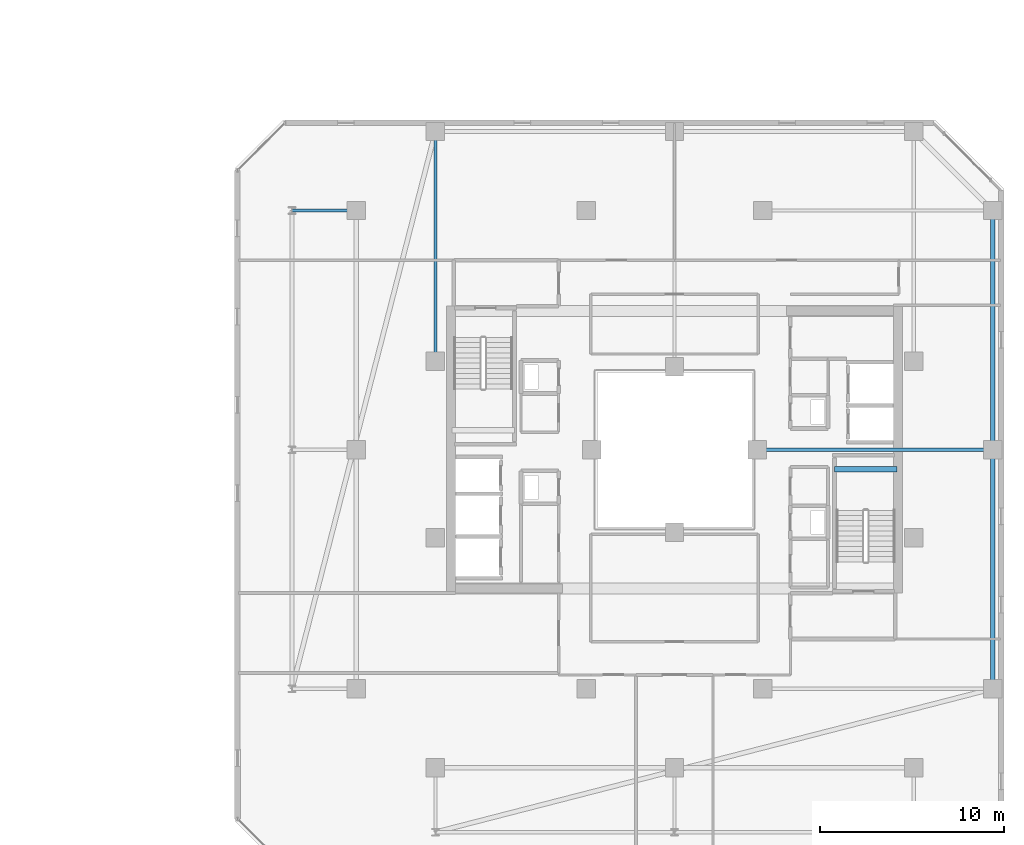
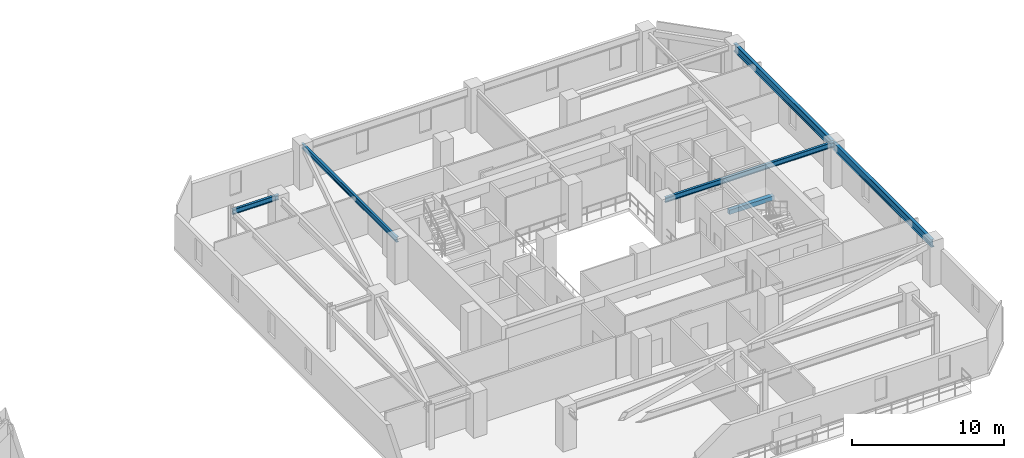
# One storey, part 14 of 33: 6 beams.
"""IFC4 building model written with IfcOpenShell, lengths in metres."""

from ifc_helpers import new_model, si_unit, direction, frame, origin, origin_2d, place, context, subcontext, project, spatial, rectangle, i_section, extrude, material, material_profile, profile_set, type_object, element, save


model = new_model("IFC4")

# Units and contexts
model_context = context("Model", 3, precision=1e-05, world=origin(), true_north=direction((0.0, 1.0)))
body_context = subcontext(model_context, "Body", "Model", "MODEL_VIEW")
ifc_project = project(units=[si_unit("LENGTHUNIT", "METRE"), si_unit("AREAUNIT", "SQUARE_METRE"), si_unit("VOLUMEUNIT", "CUBIC_METRE"), si_unit("PLANEANGLEUNIT", "RADIAN"), si_unit("MASSUNIT", "GRAM", prefix="KILO")], contexts=[model_context])

# Site, building, storey
site_placement = place(None, origin())
site = spatial("IfcSite", under=ifc_project, at=site_placement, CompositionType="ELEMENT")
building_placement = place(site_placement, origin())
building = spatial("IfcBuilding", under=site, at=building_placement, Name="Thornwick Lancets Civic Towers", CompositionType="ELEMENT")
storey_placement = place(building_placement, frame((0.0, 0.0, 207.300048828125)))
storey = spatial("IfcBuildingStorey", under=building, at=storey_placement, Name="L55", CompositionType="ELEMENT", Elevation=207.300048828125)

# Beams
ifc_material_1 = material(Name="Steel S355JR", Category="steel")
ifc_material_profile_1 = material_profile(ifc_material_1, i_section(OverallWidth=0.230224609375, OverallDepth=0.6171875, WebThickness=0.01318359375, FlangeThickness=0.022216796875, FilletRadius=0.0126953125, at=origin_2d()), Name="UKB 610x229x140")
ifc_profile_set_1 = profile_set([ifc_material_profile_1], Name="Steel S355JR")
beam_type_1 = type_object("IfcBeamType", Name="BM_GIRD_610_140", PredefinedType="BEAM", material=ifc_profile_set_1)
beam_1_placement = place(storey_placement, frame((105.800048828125, 14.0, 3.05126953125), z_axis=(0.0, 1.0, 0.0), x_axis=(-1.0, 0.0, 0.0)))
element("IfcBeam", 1, at=beam_1_placement, inside=storey, type_object=beam_type_1, Name="BM-SPINE-L55-B-0-1", PredefinedType="BEAM", context=body_context, shape_type="SweptSolid", body=[
    extrude(i_section(OverallWidth=0.230224609375, OverallDepth=0.6171875, WebThickness=0.01318359375, FlangeThickness=0.022216796875, FilletRadius=0.0126953125, at=origin_2d()), origin(), (0.0, 0.0, 1.0), 13.0),
])
beam_2_placement = place(storey_placement, frame((105.800048828125, 27.080078125, 3.05126953125), z_axis=(0.0, 1.0, 0.0), x_axis=(-1.0, 0.0, 0.0)))
element("IfcBeam", 2, at=beam_2_placement, inside=storey, type_object=beam_type_1, Name="BM-SPINE-L55-B-1-2", PredefinedType="BEAM", context=body_context, shape_type="SweptSolid", body=[
    extrude(i_section(OverallWidth=0.230224609375, OverallDepth=0.6171875, WebThickness=0.01318359375, FlangeThickness=0.022216796875, FilletRadius=0.0126953125, at=origin_2d()), origin(), (0.0, 0.0, 1.0), 12.919921875),
])
ifc_material_profile_2 = material_profile(ifc_material_1, i_section(OverallWidth=0.179443359375, OverallDepth=0.412841796875, WebThickness=0.009521484375, FlangeThickness=0.01611328125, FilletRadius=0.01025390625, at=origin_2d()), Name="UKB 406x178x74")
ifc_profile_set_2 = profile_set([ifc_material_profile_2], Name="Steel S355JR")
beam_type_2 = type_object("IfcBeamType", Name="BM_JOIST_406_74", PredefinedType="JOIST", material=ifc_profile_set_2)
beam_3_placement = place(storey_placement, frame((93.0, 27.0, 3.153564453125), z_axis=(1.0, 0.0, 0.0), x_axis=(0.0, 1.0, 0.0)))
element("IfcBeam", 3, at=beam_3_placement, inside=storey, type_object=beam_type_2, Name="BM-RADIN-L55-B02", PredefinedType="JOIST", context=body_context, shape_type="SweptSolid", body=[
    extrude(i_section(OverallWidth=0.179443359375, OverallDepth=0.412841796875, WebThickness=0.009521484375, FlangeThickness=0.01611328125, FilletRadius=0.01025390625, at=origin_2d()), origin(), (0.0, 0.0, 1.0), 12.800048828125),
])
beam_4_placement = place(storey_placement, frame((75.5, 31.800048828125, 3.153564453125), z_axis=(0.0, 1.0, 0.0), x_axis=(-1.0, 0.0, 0.0)))
element("IfcBeam", 4, at=beam_4_placement, inside=storey, type_object=beam_type_2, Name="BM-RADIN-L55-B06", PredefinedType="JOIST", context=body_context, shape_type="SweptSolid", body=[
    extrude(i_section(OverallWidth=0.179443359375, OverallDepth=0.412841796875, WebThickness=0.009521484375, FlangeThickness=0.01611328125, FilletRadius=0.01025390625, at=origin_2d()), origin(), (0.0, 0.0, 1.0), 12.5),
])
beam_5_placement = place(storey_placement, frame((71.199951171875, 40.0, 3.153564453125), z_axis=(-1.0, 0.0, 0.0), x_axis=(0.0, -1.0, 0.0)))
element("IfcBeam", 5, at=beam_5_placement, inside=storey, type_object=beam_type_2, Name="BM-RAD-L55-B09", PredefinedType="JOIST", context=body_context, shape_type="SweptSolid", body=[
    extrude(i_section(OverallWidth=0.179443359375, OverallDepth=0.412841796875, WebThickness=0.009521484375, FlangeThickness=0.01611328125, FilletRadius=0.01025390625, at=origin_2d()), origin(), (0.0, 0.0, 1.0), 3.5),
])
ifc_material_2 = material(Name="Concrete C40/50", Category="concrete")
ifc_material_profile_3 = material_profile(ifc_material_2, rectangle(XDim=0.300048828125, YDim=0.35009765625, at=origin_2d()), Name="RC 300x350")
ifc_profile_set_3 = profile_set([ifc_material_profile_3], Name="Concrete C40/50")
beam_type_3 = type_object("IfcBeamType", Name="BM_STAIR_LDG", PredefinedType="BEAM", material=ifc_profile_set_3)
beam_6_placement = place(storey_placement, frame((100.60009765625, 25.93505859375, 1.3779296875), z_axis=(-1.0, 0.0, 0.0), x_axis=(0.0, -1.0, 0.0)))
element("IfcBeam", 6, at=beam_6_placement, inside=storey, type_object=beam_type_3, Name="L55 ST-B1 Landing Support Beam 1", PredefinedType="BEAM", context=body_context, shape_type="SweptSolid", body=[
    extrude(rectangle(XDim=0.300048828125, YDim=0.35009765625, at=origin_2d()), origin(), (0.0, 0.0, 1.0), 3.400146484375),
])

save(model, "model.ifc")
